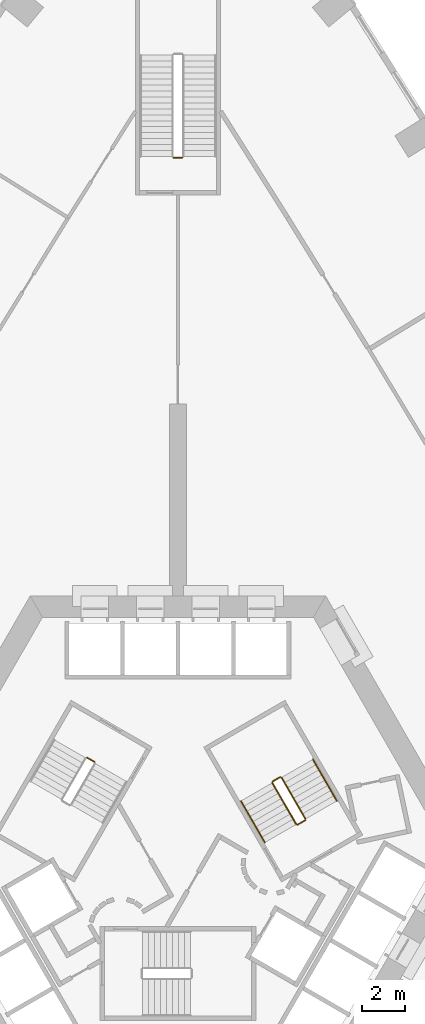
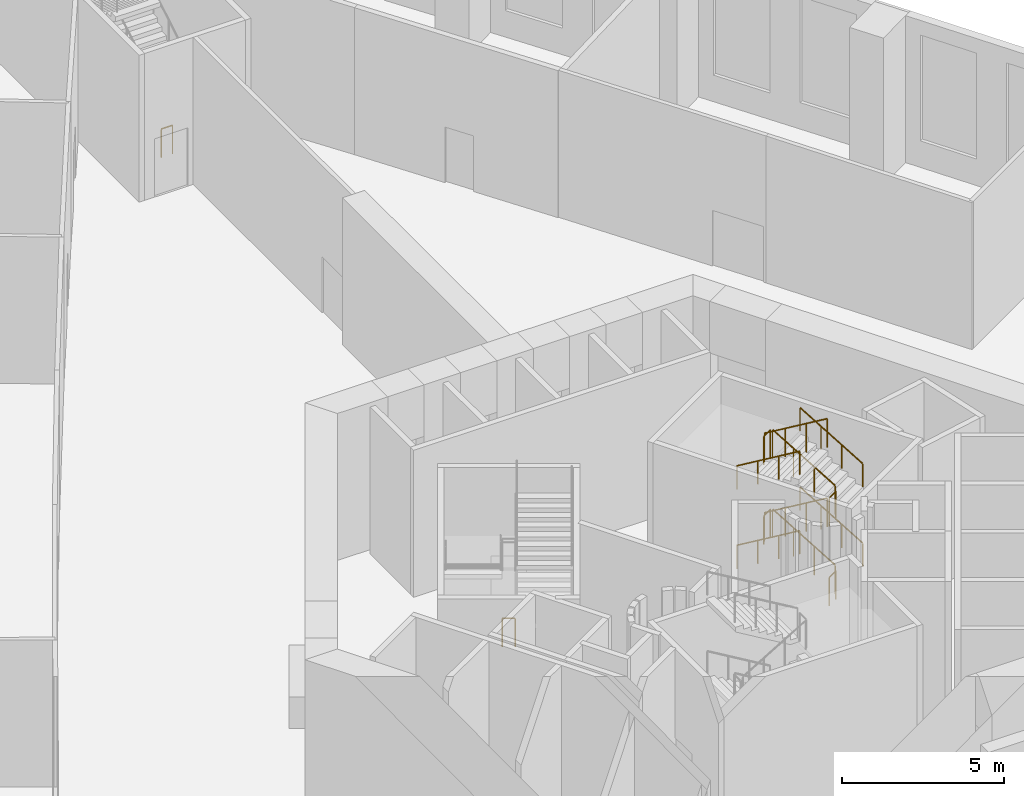
# One storey, part 13 of 15: 14 railings.
"""IFC4 building model written with IfcOpenShell, lengths in metres."""

import ifcopenshell
import ifcopenshell.guid

model = None  # the IFC model being written
_history = None  # IfcOwnerHistory: only IFC2X3 demands one
_inside = {}  # id of a spatial element -> (the spatial element, [elements in it])
_under = {}  # id of a project, library or spatial element -> (it, [spatial elements below it])
_declared = {}  # id of a project -> (the project, [libraries it declares])
_typed = {}  # id of a type object -> (the type object, [elements of that type])
_made_of = {}  # id of a material, layer set ... -> (it, [elements and type objects made of it])


def new_model(schema):
    """Start an empty IFC model of exactly this schema.

    Asked for "IFC4X3", IfcOpenShell would pick the latest addendum, in which some entities
    have other attributes; the version numbers below select the first issue.
    IFC2X3 requires an IfcOwnerHistory on every rooted entity: one is made here for all.
    """
    global model, _history
    if schema == "IFC4X3":
        model = ifcopenshell.file(schema_version=(4, 3, 0, 0))
    else:
        model = ifcopenshell.file(schema=schema)
    _inside.clear()
    _under.clear()
    _declared.clear()
    _typed.clear()
    _made_of.clear()
    _history = None
    if model.schema == "IFC2X3":
        org = make("IfcOrganization", Name="unknown")
        user = make(
            "IfcPersonAndOrganization",
            ThePerson=make("IfcPerson", FamilyName="unknown"),
            TheOrganization=org,
        )
        app = make(
            "IfcApplication",
            ApplicationDeveloper=org,
            Version="unknown",
            ApplicationFullName="unknown",
            ApplicationIdentifier="unknown",
        )
        _history = make(
            "IfcOwnerHistory",
            OwningUser=user,
            OwningApplication=app,
            ChangeAction="ADDED",
            CreationDate=0,
        )
    return model


def make(cls, **values):
    """One entity of the class cls with the attributes given. An attribute that is None is left unset."""
    return model.create_entity(
        cls, **{name: value for name, value in values.items() if value is not None}
    )


def rooted(cls, **values):
    """An entity with a GlobalId (a new one), such as an element, a storey or a relation."""
    return make(cls, GlobalId=ifcopenshell.guid.new(), OwnerHistory=_history, **values)


def si_unit(unit_type, name, prefix=None):
    """IfcSIUnit, for example si_unit("LENGTHUNIT", "METRE", prefix="MILLI")."""
    return make("IfcSIUnit", UnitType=unit_type, Prefix=prefix, Name=name)


def assignment(units):
    """IfcUnitAssignment: the units of a project."""
    return None if units is None else make("IfcUnitAssignment", Units=units)


def point(xyz):
    """IfcCartesianPoint."""
    return None if xyz is None else make("IfcCartesianPoint", Coordinates=xyz)


def direction(xyz):
    """IfcDirection."""
    return None if xyz is None else make("IfcDirection", DirectionRatios=xyz)


def frame(location, z_axis=None, x_axis=None):
    """IfcAxis2Placement3D, a coordinate frame: its origin and axes. An axis left out is left unset."""
    return make(
        "IfcAxis2Placement3D",
        Location=point(location),
        Axis=direction(z_axis),
        RefDirection=direction(x_axis),
    )


def frame_2d(location, x_axis=None):
    """IfcAxis2Placement2D, a coordinate frame in the plane: its origin and x axis."""
    return make(
        "IfcAxis2Placement2D", Location=point(location), RefDirection=direction(x_axis)
    )


def origin():
    """The frame at (0, 0, 0) with its axes left unset."""
    return frame((0.0, 0.0, 0.0))


def origin_2d():
    """The frame at (0, 0) in the plane with its x axis left unset."""
    return frame_2d((0.0, 0.0))


def place(relative_to, where):
    """IfcLocalPlacement: puts the frame where relative to a parent placement (None: the world)."""
    return make(
        "IfcLocalPlacement", PlacementRelTo=relative_to, RelativePlacement=where
    )


def context(
    kind, dimensions, precision=None, world=None, true_north=None, identifier=None
):
    """IfcGeometricRepresentationContext, for example the 3D "Model" context."""
    return make(
        "IfcGeometricRepresentationContext",
        ContextIdentifier=identifier,
        ContextType=kind,
        CoordinateSpaceDimension=dimensions,
        Precision=precision,
        WorldCoordinateSystem=world,
        TrueNorth=true_north,
    )


def subcontext(parent, identifier, kind, view, scale=None):
    """IfcGeometricRepresentationSubContext, for example "Body" below "Model"."""
    return make(
        "IfcGeometricRepresentationSubContext",
        ContextIdentifier=identifier,
        ContextType=kind,
        ParentContext=parent,
        TargetScale=scale,
        TargetView=view,
    )


def project(units=None, contexts=None):
    """IfcProject with its units and contexts."""
    return rooted(
        "IfcProject",
        Name="project",
        RepresentationContexts=contexts,
        UnitsInContext=assignment(units),
    )


def spatial(cls, under=None, at=None, **own):
    """A site, building, storey or space (cls), placed at a placement, below another one or the project."""
    s = rooted(cls, ObjectPlacement=at, **own)
    if under is not None:
        _under.setdefault(under.id(), (under, []))[1].append(s)
    return s


def profile(cls, at=None, kind="AREA", **sizes):
    """A parametric profile (cls). Its sizes go by their IFC names, for example OverallWidth=200.0."""
    return make(cls, ProfileType=kind, Position=at, **sizes)


def circle(**sizes):
    """IfcCircleProfileDef."""
    return profile("IfcCircleProfileDef", **sizes)


def extrude(swept, where, along, depth):
    """IfcExtrudedAreaSolid: the profile swept, set in the frame where, extruded along a direction by depth."""
    return make(
        "IfcExtrudedAreaSolid",
        SweptArea=swept,
        Position=where,
        ExtrudedDirection=direction(along),
        Depth=depth,
    )


def shape(context_of_items, identifier, shape_type, items):
    """IfcShapeRepresentation: the items that make up one representation, for example the "Body"."""
    return make(
        "IfcShapeRepresentation",
        ContextOfItems=context_of_items,
        RepresentationIdentifier=identifier,
        RepresentationType=shape_type,
        Items=items,
    )


def material(Name=None, Category=None):
    """IfcMaterial."""
    return make("IfcMaterial", Name=Name, Category=Category)


def made_of(thing, what):
    """Note that an element or type object is made of a material, layer set ...; save() writes the relation."""
    if what is not None:
        _made_of.setdefault(what.id(), (what, []))[1].append(thing)
    return thing


def type_object(cls, material=None, **own):
    """A type object (cls), such as IfcWallType, which elements share."""
    return made_of(rooted(cls, **own), material)


def element(
    cls,
    number,
    at=None,
    inside=None,
    cuts=None,
    type_object=None,
    material=None,
    context=None,
    identifier="Body",
    shape_type=None,
    held_by="IfcProductDefinitionShape",
    body=None,
    shapes=None,
    **own,
):
    """One element of the class cls, such as IfcWall. Its Tag is "e" and its number.

    at: its placement. inside: the storey or other place that contains it. cuts: it is an
    opening in that element (IfcRelVoidsElement). A single representation is given by context,
    identifier, shape_type and body (its items); several are given by shapes. held_by: the class
    of the entity that holds the representations. save() writes the other relations.
    """
    e = rooted(cls, Tag="e%d" % number, ObjectPlacement=at, **own)
    if body is not None:
        shapes = [shape(context, identifier, shape_type, body)]
    if shapes is not None:
        e.Representation = make(held_by, Representations=shapes)
    if inside is not None:
        _inside.setdefault(inside.id(), (inside, []))[1].append(e)
    if cuts is not None:
        rooted(
            "IfcRelVoidsElement", RelatingBuildingElement=cuts, RelatedOpeningElement=e
        )
    if type_object is not None:
        _typed.setdefault(type_object.id(), (type_object, []))[1].append(e)
    return made_of(e, material)


def aggregate(whole, parts):
    """IfcRelAggregates: a whole, such as a stair, and the parts it consists of."""
    return rooted("IfcRelAggregates", RelatingObject=whole, RelatedObjects=parts)


def save(model, path):
    """Write the relations noted so far, then the file.

    IfcRelAggregates (storeys below a building ...), IfcRelContainedInSpatialStructure (elements
    in a storey), IfcRelDefinesByType, IfcRelAssociatesMaterial and IfcRelDeclares: one each for
    every whole, place, type object, material and project.
    """
    for whole, parts in _under.values():
        aggregate(whole, parts)
    for where, things in _inside.values():
        rooted(
            "IfcRelContainedInSpatialStructure",
            RelatedElements=things,
            RelatingStructure=where,
        )
    for kind, things in _typed.values():
        rooted("IfcRelDefinesByType", RelatedObjects=things, RelatingType=kind)
    for what, things in _made_of.values():
        rooted("IfcRelAssociatesMaterial", RelatedObjects=things, RelatingMaterial=what)
    for by, libraries in _declared.values():
        rooted("IfcRelDeclares", RelatingContext=by, RelatedDefinitions=libraries)
    model.write(path)


model = new_model("IFC4")

# Units and contexts
model_context = context("Model", 3, precision=1e-05, world=origin(), true_north=direction((0.0, 1.0)))
body_context = subcontext(model_context, "Body", "Model", "MODEL_VIEW")
ifc_project = project(units=[si_unit("LENGTHUNIT", "METRE"), si_unit("AREAUNIT", "SQUARE_METRE"), si_unit("VOLUMEUNIT", "CUBIC_METRE"), si_unit("PLANEANGLEUNIT", "RADIAN"), si_unit("MASSUNIT", "GRAM", prefix="KILO")], contexts=[model_context])

# Site, building, storey
site_placement = place(None, origin())
site = spatial("IfcSite", under=ifc_project, at=site_placement, CompositionType="ELEMENT")
building_placement = place(site_placement, origin())
building = spatial("IfcBuilding", under=site, at=building_placement, Name="Entoto Arch Interchange Tower", CompositionType="ELEMENT")
storey_placement = place(building_placement, frame((0.0, 0.0, 9.0)))
storey = spatial("IfcBuildingStorey", under=building, at=storey_placement, Name="L01", CompositionType="ELEMENT", Elevation=9.0)

# Railings
ifc_material = material(Name="Stainless steel 1.4301", Category="steel")
railing_type_1 = type_object("IfcRailingType", Name="STAIR GUARD 1100 STEEL", PredefinedType="GUARDRAIL", material=ifc_material)
railing_1_placement = place(storey_placement, frame((5.977783203125, 4.046142578125, 0.166748046875)))
element("IfcRailing", 1, at=railing_1_placement, inside=storey, type_object=railing_type_1, Name="L01 ST-NE stair guard 1", PredefinedType="GUARDRAIL", context=body_context, shape_type="SweptSolid", body=[
    extrude(circle(Radius=0.02392578125, at=origin_2d()), frame((0.0, 0.0, 1.076171875), z_axis=(-0.429638077151, 0.74416274754, 0.511500662595), x_axis=(-0.866027664105, -0.49999608499, 0.0)), (0.0, 0.0, 1.0), 2.6064453125),
    extrude(circle(Radius=0.02099609375, at=origin_2d()), origin(), (0.0, 0.0, 1.0), 1.052001953125),
    extrude(circle(Radius=0.02099609375, at=origin_2d()), frame((-0.373291015625, 0.646484375, 0.4443359375)), (0.0, 0.0, 1.0), 1.052001953125),
    extrude(circle(Radius=0.02099609375, at=origin_2d()), frame((-0.74658203125, 1.293212890625, 0.888916015625)), (0.0, 0.0, 1.0), 1.052001953125),
    extrude(circle(Radius=0.02099609375, at=origin_2d()), frame((-1.119873046875, 1.939697265625, 1.333251953125)), (0.0, 0.0, 1.0), 1.052001953125),
])
railing_2_placement = place(storey_placement, frame((4.78955078125, 6.004150390625, 1.5)))
element("IfcRailing", 2, at=railing_2_placement, inside=storey, type_object=railing_type_1, Name="L01 ST-NE stair guard 2", PredefinedType="GUARDRAIL", context=body_context, shape_type="SweptSolid", body=[
    extrude(circle(Radius=0.02392578125, at=origin_2d()), frame((0.0, 0.0, 1.076171875), z_axis=(-0.866094119867, -0.499880961361, 0.0), x_axis=(0.499880961361, -0.866094119867, 0.0)), (0.0, 0.0, 1.0), 0.39990234375),
    extrude(circle(Radius=0.02099609375, at=origin_2d()), origin(), (0.0, 0.0, 1.0), 1.052001953125),
    extrude(circle(Radius=0.02099609375, at=origin_2d()), frame((-0.346435546875, -0.199951171875, 0.0)), (0.0, 0.0, 1.0), 1.052001953125),
])
railing_3_placement = place(storey_placement, frame((4.4248046875, 5.73583984375, 1.666748046875)))
element("IfcRailing", 3, at=railing_3_placement, inside=storey, type_object=railing_type_1, Name="L01 ST-NE stair guard 3", PredefinedType="GUARDRAIL", context=body_context, shape_type="SweptSolid", body=[
    extrude(circle(Radius=0.02392578125, at=origin_2d()), frame((0.0, 0.0, 1.076171875), z_axis=(0.429714447441, -0.744132799677, 0.511480077916), x_axis=(0.865980463445, 0.500077830873, 0.0)), (0.0, 0.0, 1.0), 2.606689453125),
    extrude(circle(Radius=0.02099609375, at=origin_2d()), origin(), (0.0, 0.0, 1.0), 1.052001953125),
    extrude(circle(Radius=0.02099609375, at=origin_2d()), frame((0.373291015625, -0.646484375, 0.4443359375)), (0.0, 0.0, 1.0), 1.052001953125),
    extrude(circle(Radius=0.02099609375, at=origin_2d()), frame((0.746826171875, -1.293212890625, 0.888916015625)), (0.0, 0.0, 1.0), 1.052001953125),
    extrude(circle(Radius=0.02099609375, at=origin_2d()), frame((1.1201171875, -1.939697265625, 1.333251953125)), (0.0, 0.0, 1.0), 1.052001953125),
])
railing_4_placement = place(storey_placement, frame((5.95947265625, 3.977783203125, 3.0)))
element("IfcRailing", 4, at=railing_4_placement, inside=storey, type_object=railing_type_1, Name="L01 ST-NE stair guard 4", PredefinedType="GUARDRAIL", context=body_context, shape_type="SweptSolid", body=[
    extrude(circle(Radius=0.02392578125, at=origin_2d()), frame((0.0, 0.0, 1.076171875), z_axis=(-0.866094119867, -0.499880961361, 0.0), x_axis=(0.499880961361, -0.866094119867, 0.0)), (0.0, 0.0, 1.0), 0.39990234375),
    extrude(circle(Radius=0.02099609375, at=origin_2d()), origin(), (0.0, 0.0, 1.0), 1.052001953125),
    extrude(circle(Radius=0.02099609375, at=origin_2d()), frame((-0.346435546875, -0.199951171875, 0.0)), (0.0, 0.0, 1.0), 1.052001953125),
])
railing_5_placement = place(storey_placement, frame((5.977783203125, 4.046142578125, 3.166748046875)))
element("IfcRailing", 5, at=railing_5_placement, inside=storey, type_object=railing_type_1, Name="L01 ST-NE stair guard 5", PredefinedType="GUARDRAIL", context=body_context, shape_type="SweptSolid", body=[
    extrude(circle(Radius=0.02392578125, at=origin_2d()), frame((0.0, 0.0, 1.076171875), z_axis=(-0.429638077151, 0.74416274754, 0.511500662595), x_axis=(-0.866027664105, -0.49999608499, 0.0)), (0.0, 0.0, 1.0), 2.6064453125),
    extrude(circle(Radius=0.02099609375, at=origin_2d()), origin(), (0.0, 0.0, 1.0), 1.052001953125),
    extrude(circle(Radius=0.02099609375, at=origin_2d()), frame((-0.373291015625, 0.646484375, 0.4443359375)), (0.0, 0.0, 1.0), 1.052001953125),
    extrude(circle(Radius=0.02099609375, at=origin_2d()), frame((-0.74658203125, 1.293212890625, 0.888916015625)), (0.0, 0.0, 1.0), 1.052001953125),
    extrude(circle(Radius=0.02099609375, at=origin_2d()), frame((-1.119873046875, 1.939697265625, 1.333251953125)), (0.0, 0.0, 1.0), 1.052001953125),
])
railing_6_placement = place(storey_placement, frame((4.78955078125, 6.004150390625, 4.5)))
element("IfcRailing", 6, at=railing_6_placement, inside=storey, type_object=railing_type_1, Name="L01 ST-NE stair guard 6", PredefinedType="GUARDRAIL", context=body_context, shape_type="SweptSolid", body=[
    extrude(circle(Radius=0.02392578125, at=origin_2d()), frame((0.0, 0.0, 1.076171875), z_axis=(-0.866094119867, -0.499880961361, 0.0), x_axis=(0.499880961361, -0.866094119867, 0.0)), (0.0, 0.0, 1.0), 0.39990234375),
    extrude(circle(Radius=0.02099609375, at=origin_2d()), origin(), (0.0, 0.0, 1.0), 1.052001953125),
    extrude(circle(Radius=0.02099609375, at=origin_2d()), frame((-0.346435546875, -0.199951171875, 0.0)), (0.0, 0.0, 1.0), 1.052001953125),
])
railing_7_placement = place(storey_placement, frame((4.4248046875, 5.73583984375, 4.666748046875)))
element("IfcRailing", 7, at=railing_7_placement, inside=storey, type_object=railing_type_1, Name="L01 ST-NE stair guard 7", PredefinedType="GUARDRAIL", context=body_context, shape_type="SweptSolid", body=[
    extrude(circle(Radius=0.02392578125, at=origin_2d()), frame((0.0, 0.0, 1.076171875), z_axis=(0.429714447441, -0.744132799677, 0.511480077916), x_axis=(0.865980463445, 0.500077830873, 0.0)), (0.0, 0.0, 1.0), 2.606689453125),
    extrude(circle(Radius=0.02099609375, at=origin_2d()), origin(), (0.0, 0.0, 1.0), 1.052001953125),
    extrude(circle(Radius=0.02099609375, at=origin_2d()), frame((0.373291015625, -0.646484375, 0.4443359375)), (0.0, 0.0, 1.0), 1.052001953125),
    extrude(circle(Radius=0.02099609375, at=origin_2d()), frame((0.746826171875, -1.293212890625, 0.888916015625)), (0.0, 0.0, 1.0), 1.052001953125),
    extrude(circle(Radius=0.02099609375, at=origin_2d()), frame((1.1201171875, -1.939697265625, 1.333251953125)), (0.0, 0.0, 1.0), 1.052001953125),
])
railing_8_placement = place(storey_placement, frame((5.95947265625, 3.977783203125, 0.0)))
element("IfcRailing", 8, at=railing_8_placement, inside=storey, type_object=railing_type_1, Name="L01 ST-NE stair guard 8", PredefinedType="GUARDRAIL", context=body_context, shape_type="SweptSolid", body=[
    extrude(circle(Radius=0.02392578125, at=origin_2d()), frame((0.0, 0.0, 1.076171875), z_axis=(-0.866094119867, -0.499880961361, 0.0), x_axis=(0.499880961361, -0.866094119867, 0.0)), (0.0, 0.0, 1.0), 0.39990234375),
    extrude(circle(Radius=0.02099609375, at=origin_2d()), origin(), (0.0, 0.0, 1.0), 1.052001953125),
    extrude(circle(Radius=0.02099609375, at=origin_2d()), frame((-0.346435546875, -0.199951171875, 0.0)), (0.0, 0.0, 1.0), 1.052001953125),
])
railing_9_placement = place(storey_placement, frame((-4.259521484375, 6.92236328125, 0.0)))
element("IfcRailing", 9, at=railing_9_placement, inside=storey, type_object=railing_type_1, Name="L01 ST-NW stair guard 8", PredefinedType="GUARDRAIL", context=body_context, shape_type="SweptSolid", body=[
    extrude(circle(Radius=0.02392578125, at=origin_2d()), frame((0.0, 0.0, 1.076171875), z_axis=(0.865829829939, -0.500338590944, 0.0), x_axis=(0.500338590944, 0.865829829939, 0.0)), (0.0, 0.0, 1.0), 0.400146484375),
    extrude(circle(Radius=0.02099609375, at=origin_2d()), origin(), (0.0, 0.0, 1.0), 1.052001953125),
    extrude(circle(Radius=0.02099609375, at=origin_2d()), frame((0.346435546875, -0.2001953125, 0.0)), (0.0, 0.0, 1.0), 1.052001953125),
])
railing_10_placement = place(storey_placement, frame((0.199951171875, 35.050048828125, 0.0)))
element("IfcRailing", 10, at=railing_10_placement, inside=storey, type_object=railing_type_1, Name="L01 PST-N stair guard 4", PredefinedType="GUARDRAIL", context=body_context, shape_type="SweptSolid", body=[
    extrude(circle(Radius=0.02392578125, at=origin_2d()), frame((0.0, 0.0, 1.076171875), z_axis=(-1.0, 0.0, 0.0), x_axis=(0.0, -1.0, 0.0)), (0.0, 0.0, 1.0), 0.39990234375),
    extrude(circle(Radius=0.02099609375, at=origin_2d()), origin(), (0.0, 0.0, 1.0), 1.052001953125),
    extrude(circle(Radius=0.02099609375, at=origin_2d()), frame((-0.39990234375, 0.0, 0.0)), (0.0, 0.0, 1.0), 1.052001953125),
])
railing_type_2 = type_object("IfcRailingType", Name="STAIR HANDRAIL 900 STEEL", PredefinedType="HANDRAIL", material=ifc_material)
railing_11_placement = place(storey_placement, frame((7.4501953125, 4.89599609375, 0.166748046875)))
element("IfcRailing", 11, at=railing_11_placement, inside=storey, type_object=railing_type_2, Name="L01 ST-NE stair handrail 1", PredefinedType="HANDRAIL", context=body_context, shape_type="SweptSolid", body=[
    extrude(circle(Radius=0.02392578125, at=origin_2d()), frame((0.0, 0.0, 0.8759765625), z_axis=(-0.429684499369, 0.744174592847, 0.511444431354), x_axis=(-0.866007717299, -0.500030632641, 0.0)), (0.0, 0.0, 1.0), 2.60693359375),
    extrude(circle(Radius=0.02099609375, at=origin_2d()), origin(), (0.0, 0.0, 1.0), 0.851806640625),
    extrude(circle(Radius=0.02099609375, at=origin_2d()), frame((-0.373291015625, 0.646728515625, 0.4443359375)), (0.0, 0.0, 1.0), 0.851806640625),
    extrude(circle(Radius=0.02099609375, at=origin_2d()), frame((-0.746826171875, 1.293212890625, 0.888916015625)), (0.0, 0.0, 1.0), 0.851806640625),
    extrude(circle(Radius=0.02099609375, at=origin_2d()), frame((-1.1201171875, 1.93994140625, 1.333251953125)), (0.0, 0.0, 1.0), 0.851806640625),
])
railing_12_placement = place(storey_placement, frame((2.95263671875, 4.885986328125, 1.666748046875)))
element("IfcRailing", 12, at=railing_12_placement, inside=storey, type_object=railing_type_2, Name="L01 ST-NE stair handrail 2", PredefinedType="HANDRAIL", context=body_context, shape_type="SweptSolid", body=[
    extrude(circle(Radius=0.02392578125, at=origin_2d()), frame((0.0, 0.0, 0.8759765625), z_axis=(0.429608131991, -0.744204538217, 0.51146501173), x_axis=(0.866054910533, 0.49994888933, 0.0)), (0.0, 0.0, 1.0), 2.606689453125),
    extrude(circle(Radius=0.02099609375, at=origin_2d()), origin(), (0.0, 0.0, 1.0), 0.851806640625),
    extrude(circle(Radius=0.02099609375, at=origin_2d()), frame((0.373291015625, -0.646728515625, 0.4443359375)), (0.0, 0.0, 1.0), 0.851806640625),
    extrude(circle(Radius=0.02099609375, at=origin_2d()), frame((0.74658203125, -1.293212890625, 0.888916015625)), (0.0, 0.0, 1.0), 0.851806640625),
    extrude(circle(Radius=0.02099609375, at=origin_2d()), frame((1.119873046875, -1.93994140625, 1.333251953125)), (0.0, 0.0, 1.0), 0.851806640625),
])
railing_13_placement = place(storey_placement, frame((7.4501953125, 4.89599609375, 3.166748046875)))
element("IfcRailing", 13, at=railing_13_placement, inside=storey, type_object=railing_type_2, Name="L01 ST-NE stair handrail 3", PredefinedType="HANDRAIL", context=body_context, shape_type="SweptSolid", body=[
    extrude(circle(Radius=0.02392578125, at=origin_2d()), frame((0.0, 0.0, 0.8759765625), z_axis=(-0.429684499369, 0.744174592847, 0.511444431354), x_axis=(-0.866007717299, -0.500030632641, 0.0)), (0.0, 0.0, 1.0), 2.60693359375),
    extrude(circle(Radius=0.02099609375, at=origin_2d()), origin(), (0.0, 0.0, 1.0), 0.851806640625),
    extrude(circle(Radius=0.02099609375, at=origin_2d()), frame((-0.373291015625, 0.646728515625, 0.4443359375)), (0.0, 0.0, 1.0), 0.851806640625),
    extrude(circle(Radius=0.02099609375, at=origin_2d()), frame((-0.746826171875, 1.293212890625, 0.888916015625)), (0.0, 0.0, 1.0), 0.851806640625),
    extrude(circle(Radius=0.02099609375, at=origin_2d()), frame((-1.1201171875, 1.93994140625, 1.333251953125)), (0.0, 0.0, 1.0), 0.851806640625),
])
railing_14_placement = place(storey_placement, frame((2.95263671875, 4.885986328125, 4.666748046875)))
element("IfcRailing", 14, at=railing_14_placement, inside=storey, type_object=railing_type_2, Name="L01 ST-NE stair handrail 4", PredefinedType="HANDRAIL", context=body_context, shape_type="SweptSolid", body=[
    extrude(circle(Radius=0.02392578125, at=origin_2d()), frame((0.0, 0.0, 0.8759765625), z_axis=(0.429608131991, -0.744204538217, 0.51146501173), x_axis=(0.866054910533, 0.49994888933, 0.0)), (0.0, 0.0, 1.0), 2.606689453125),
    extrude(circle(Radius=0.02099609375, at=origin_2d()), origin(), (0.0, 0.0, 1.0), 0.851806640625),
    extrude(circle(Radius=0.02099609375, at=origin_2d()), frame((0.373291015625, -0.646728515625, 0.4443359375)), (0.0, 0.0, 1.0), 0.851806640625),
    extrude(circle(Radius=0.02099609375, at=origin_2d()), frame((0.74658203125, -1.293212890625, 0.888916015625)), (0.0, 0.0, 1.0), 0.851806640625),
    extrude(circle(Radius=0.02099609375, at=origin_2d()), frame((1.119873046875, -1.93994140625, 1.333251953125)), (0.0, 0.0, 1.0), 0.851806640625),
])

save(model, "model.ifc")
